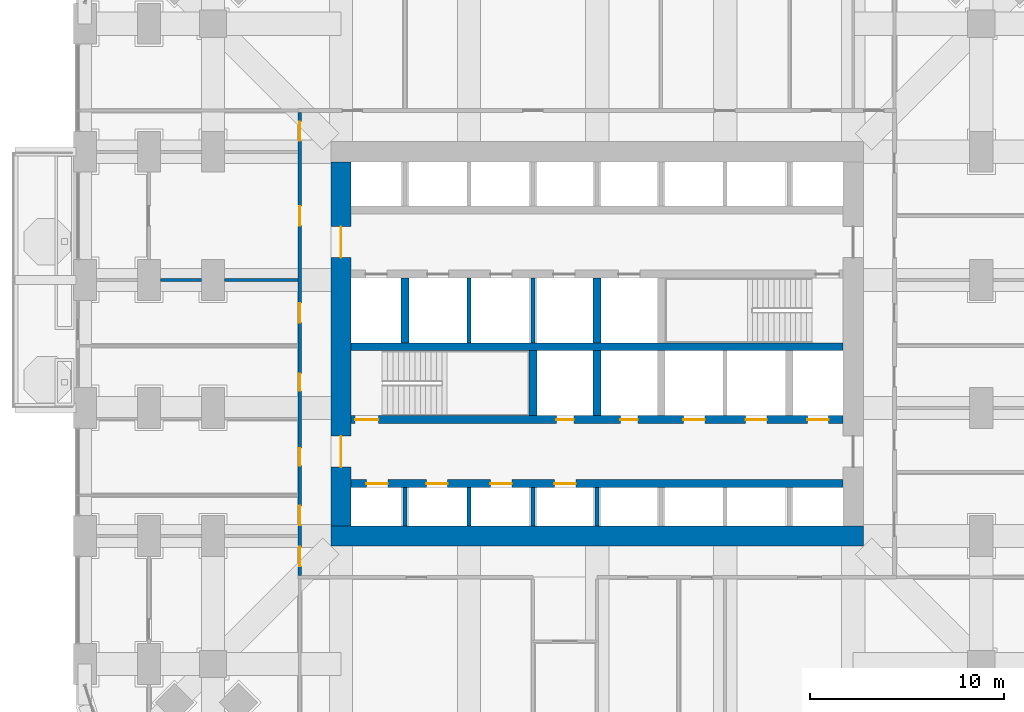
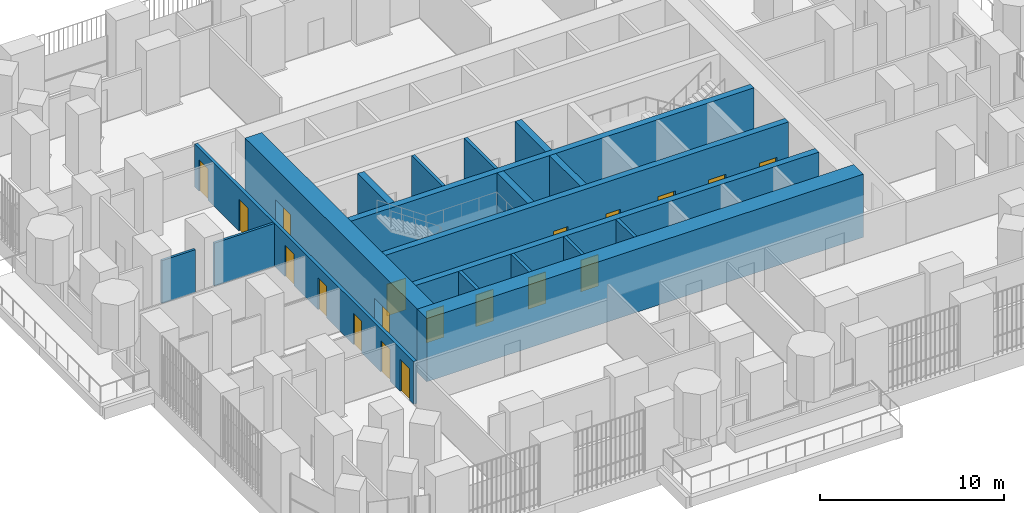
# One storey, part 18 of 26: 19 doors, 18 walls, 19 openings.
"""IFC4 building model written with IfcOpenShell, lengths in metres."""

from ifc_helpers import new_model, si_unit, direction, frame, frame_2d, origin, place, context, subcontext, project, spatial, rectangle, extrude, material, layer, layer_set, type_object, element, fill, save


model = new_model("IFC4")

# Units and contexts
model_context = context("Model", 3, precision=1e-05, world=origin(), true_north=direction((0.0, 1.0)))
body_context = subcontext(model_context, "Body", "Model", "MODEL_VIEW")
ifc_project = project(units=[si_unit("LENGTHUNIT", "METRE"), si_unit("AREAUNIT", "SQUARE_METRE"), si_unit("VOLUMEUNIT", "CUBIC_METRE"), si_unit("PLANEANGLEUNIT", "RADIAN"), si_unit("MASSUNIT", "GRAM", prefix="KILO")], contexts=[model_context])

# Site, building, storey
site_placement = place(None, origin())
site = spatial("IfcSite", under=ifc_project, at=site_placement, CompositionType="ELEMENT")
building_placement = place(site_placement, origin())
building = spatial("IfcBuilding", under=site, at=building_placement, Name="Cobogo Forest Laboratory Tower", CompositionType="ELEMENT")
storey_placement = place(building_placement, frame((0.0, 0.0, 50.699951171875)))
storey = spatial("IfcBuildingStorey", under=building, at=storey_placement, Name="L11", CompositionType="ELEMENT", Elevation=50.699951171875)

# Wall, openings, doors
ifc_material_1 = material(Name="Concrete HA-50 (C50/60)", Category="concrete")
ifc_layer_1 = layer(ifc_material_1, 0.39990234375)
ifc_layer_set_1 = layer_set([ifc_layer_1], Name="CI400 core inner wall 400")
wall_type_1 = type_object("IfcWallType", Name="CI400 core inner wall 400", PredefinedType="SHEAR", material=ifc_layer_set_1)
wall_1_placement = place(storey_placement, frame((13.72509765625, 15.89990234375, 0.0), z_axis=(0.0, 0.0, 1.0), x_axis=(1.0, 0.0, 0.0)))
wall_1 = element("IfcWall", 1, at=wall_1_placement, inside=storey, type_object=wall_type_1, Name="Core wall CI-15.9 L11", PredefinedType="SHEAR", context=body_context, shape_type="SweptSolid", body=[
    extrude(rectangle(XDim=25.349853515625, YDim=0.39990234375, at=frame_2d((12.6748046875, 0.0))), origin(), (0.0, 0.0, 1.0), 4.199951171875),
])
opening_1_placement = place(wall_1_placement, frame((0.78759765625, 0.0, 0.0)))
opening_1 = element("IfcOpeningElement", 2, at=opening_1_placement, cuts=wall_1, Name="Opening L11-LD-LA1", PredefinedType="OPENING", context=body_context, shape_type="SweptSolid", body=[
    extrude(rectangle(XDim=1.10009765625, YDim=2.10009765625, at=frame_2d((0.550048828125, 1.050048828125))), frame((0.0, 0.2099609375, 0.0), z_axis=(0.0, -1.0, 0.0), x_axis=(1.0, 0.0, 0.0)), (0.0, 0.0, 1.0), 0.419921875),
])
opening_2_placement = place(wall_1_placement, frame((3.875, 0.0, 0.0)))
opening_2 = element("IfcOpeningElement", 3, at=opening_2_placement, cuts=wall_1, Name="Opening L11-LD-LA2", PredefinedType="OPENING", context=body_context, shape_type="SweptSolid", body=[
    extrude(rectangle(XDim=1.10009765625, YDim=2.10009765625, at=frame_2d((0.550048828125, 1.050048828125))), frame((0.0, 0.2099609375, 0.0), z_axis=(0.0, -1.0, 0.0), x_axis=(1.0, 0.0, 0.0)), (0.0, 0.0, 1.0), 0.419921875),
])
opening_3_placement = place(wall_1_placement, frame((7.175048828125, 0.0, 0.0)))
opening_3 = element("IfcOpeningElement", 4, at=opening_3_placement, cuts=wall_1, Name="Opening L11-LD-LA3", PredefinedType="OPENING", context=body_context, shape_type="SweptSolid", body=[
    extrude(rectangle(XDim=1.10009765625, YDim=2.10009765625, at=frame_2d((0.550048828125, 1.050048828125))), frame((0.0, 0.2099609375, 0.0), z_axis=(0.0, -1.0, 0.0), x_axis=(1.0, 0.0, 0.0)), (0.0, 0.0, 1.0), 0.419921875),
])
opening_4_placement = place(wall_1_placement, frame((10.47509765625, 0.0, 0.0)))
opening_4 = element("IfcOpeningElement", 5, at=opening_4_placement, cuts=wall_1, Name="Opening L11-LD-LA4", PredefinedType="OPENING", context=body_context, shape_type="SweptSolid", body=[
    extrude(rectangle(XDim=1.10009765625, YDim=2.10009765625, at=frame_2d((0.550048828125, 1.050048828125))), frame((0.0, 0.2099609375, 0.0), z_axis=(0.0, -1.0, 0.0), x_axis=(1.0, 0.0, 0.0)), (0.0, 0.0, 1.0), 0.419921875),
])
ifc_material_2 = material(Name="Stainless steel lift door", Category="steel")
door_type_1 = type_object("IfcDoorType", Name="LD lift landing door 1100", OperationType="DOUBLE_DOOR_SLIDING", PredefinedType="DOOR", material=ifc_material_2)
door_1_placement = place(opening_1_placement, origin())
door_1 = element("IfcDoor", 6, at=door_1_placement, inside=storey, type_object=door_type_1, Name="Lift landing door LA1 L11", OperationType="DOUBLE_DOOR_SLIDING", OverallHeight=2.10009765625, OverallWidth=1.10009765625, PredefinedType="DOOR", context=body_context, shape_type="SweptSolid", body=[
    extrude(rectangle(XDim=1.10009765625, YDim=2.10009765625, at=frame_2d((0.550048828125, 1.050048828125))), frame((0.0, 0.02490234375, 0.0), z_axis=(0.0, -1.0, 0.0), x_axis=(1.0, 0.0, 0.0)), (0.0, 0.0, 1.0), 0.050048828125),
])
fill(opening_1, door_1)
door_2_placement = place(opening_2_placement, origin())
door_2 = element("IfcDoor", 7, at=door_2_placement, inside=storey, type_object=door_type_1, Name="Lift landing door LA2 L11", OperationType="DOUBLE_DOOR_SLIDING", OverallHeight=2.10009765625, OverallWidth=1.10009765625, PredefinedType="DOOR", context=body_context, shape_type="SweptSolid", body=[
    extrude(rectangle(XDim=1.10009765625, YDim=2.10009765625, at=frame_2d((0.550048828125, 1.050048828125))), frame((0.0, 0.02490234375, 0.0), z_axis=(0.0, -1.0, 0.0), x_axis=(1.0, 0.0, 0.0)), (0.0, 0.0, 1.0), 0.050048828125),
])
fill(opening_2, door_2)
door_3_placement = place(opening_3_placement, origin())
door_3 = element("IfcDoor", 8, at=door_3_placement, inside=storey, type_object=door_type_1, Name="Lift landing door LA3 L11", OperationType="DOUBLE_DOOR_SLIDING", OverallHeight=2.10009765625, OverallWidth=1.10009765625, PredefinedType="DOOR", context=body_context, shape_type="SweptSolid", body=[
    extrude(rectangle(XDim=1.10009765625, YDim=2.10009765625, at=frame_2d((0.550048828125, 1.050048828125))), frame((0.0, 0.02490234375, 0.0), z_axis=(0.0, -1.0, 0.0), x_axis=(1.0, 0.0, 0.0)), (0.0, 0.0, 1.0), 0.050048828125),
])
fill(opening_3, door_3)
door_4_placement = place(opening_4_placement, origin())
door_4 = element("IfcDoor", 9, at=door_4_placement, inside=storey, type_object=door_type_1, Name="Lift landing door LA4 L11", OperationType="DOUBLE_DOOR_SLIDING", OverallHeight=2.10009765625, OverallWidth=1.10009765625, PredefinedType="DOOR", context=body_context, shape_type="SweptSolid", body=[
    extrude(rectangle(XDim=1.10009765625, YDim=2.10009765625, at=frame_2d((0.550048828125, 1.050048828125))), frame((0.0, 0.02490234375, 0.0), z_axis=(0.0, -1.0, 0.0), x_axis=(1.0, 0.0, 0.0)), (0.0, 0.0, 1.0), 0.050048828125),
])
fill(opening_4, door_4)

wall_2_placement = place(storey_placement, frame((13.72509765625, 19.199951171875, 0.0), z_axis=(0.0, 0.0, 1.0), x_axis=(1.0, 0.0, 0.0)))
wall_2 = element("IfcWall", 10, at=wall_2_placement, inside=storey, type_object=wall_type_1, Name="Core wall CI-19.2 L11", PredefinedType="SHEAR", context=body_context, shape_type="SweptSolid", body=[
    extrude(rectangle(XDim=25.349853515625, YDim=0.39990234375, at=frame_2d((12.6748046875, 0.0))), origin(), (0.0, 0.0, 1.0), 4.199951171875),
])
opening_5_placement = place(wall_2_placement, frame((10.574951171875, 0.0, 0.0)))
opening_5 = element("IfcOpeningElement", 11, at=opening_5_placement, cuts=wall_2, Name="Opening L11-D21", PredefinedType="OPENING", context=body_context, shape_type="SweptSolid", body=[
    extrude(rectangle(XDim=0.89990234375, YDim=2.10009765625, at=frame_2d((0.449951171875, 1.050048828125))), frame((0.0, 0.2099609375, 0.0), z_axis=(0.0, -1.0, 0.0), x_axis=(1.0, 0.0, 0.0)), (0.0, 0.0, 1.0), 0.419921875),
])
opening_6_placement = place(wall_2_placement, frame((13.875, 0.0, 0.0)))
opening_6 = element("IfcOpeningElement", 12, at=opening_6_placement, cuts=wall_2, Name="Opening L11-D22", PredefinedType="OPENING", context=body_context, shape_type="SweptSolid", body=[
    extrude(rectangle(XDim=0.89990234375, YDim=2.10009765625, at=frame_2d((0.449951171875, 1.050048828125))), frame((0.0, 0.2099609375, 0.0), z_axis=(0.0, -1.0, 0.0), x_axis=(1.0, 0.0, 0.0)), (0.0, 0.0, 1.0), 0.419921875),
])
opening_7_placement = place(wall_2_placement, frame((0.199951171875, 0.0, 0.0)))
opening_7 = element("IfcOpeningElement", 13, at=opening_7_placement, cuts=wall_2, Name="Opening L11-D20", PredefinedType="OPENING", context=body_context, shape_type="SweptSolid", body=[
    extrude(rectangle(XDim=1.199951171875, YDim=2.10009765625, at=frame_2d((0.60009765625, 1.050048828125))), frame((0.0, 0.2099609375, 0.0), z_axis=(0.0, -1.0, 0.0), x_axis=(1.0, 0.0, 0.0)), (0.0, 0.0, 1.0), 0.419921875),
])
opening_8_placement = place(wall_2_placement, frame((23.512451171875, 0.0, 0.0)))
opening_8 = element("IfcOpeningElement", 14, at=opening_8_placement, cuts=wall_2, Name="Opening L11-LD-FL2", PredefinedType="OPENING", context=body_context, shape_type="SweptSolid", body=[
    extrude(rectangle(XDim=1.10009765625, YDim=2.10009765625, at=frame_2d((0.550048828125, 1.050048828125))), frame((0.0, 0.2099609375, 0.0), z_axis=(0.0, -1.0, 0.0), x_axis=(1.0, 0.0, 0.0)), (0.0, 0.0, 1.0), 0.419921875),
])
opening_9_placement = place(wall_2_placement, frame((17.125, 0.0, 0.0)))
opening_9 = element("IfcOpeningElement", 15, at=opening_9_placement, cuts=wall_2, Name="Opening L11-LD-LS1", PredefinedType="OPENING", context=body_context, shape_type="SweptSolid", body=[
    extrude(rectangle(XDim=1.10009765625, YDim=2.10009765625, at=frame_2d((0.550048828125, 1.050048828125))), frame((0.0, 0.2099609375, 0.0), z_axis=(0.0, -1.0, 0.0), x_axis=(1.0, 0.0, 0.0)), (0.0, 0.0, 1.0), 0.419921875),
])
opening_10_placement = place(wall_2_placement, frame((20.324951171875, 0.0, 0.0)))
opening_10 = element("IfcOpeningElement", 16, at=opening_10_placement, cuts=wall_2, Name="Opening L11-LD-LS2", PredefinedType="OPENING", context=body_context, shape_type="SweptSolid", body=[
    extrude(rectangle(XDim=1.10009765625, YDim=2.10009765625, at=frame_2d((0.550048828125, 1.050048828125))), frame((0.0, 0.2099609375, 0.0), z_axis=(0.0, -1.0, 0.0), x_axis=(1.0, 0.0, 0.0)), (0.0, 0.0, 1.0), 0.419921875),
])
ifc_material_3 = material(Name="Steel fire door", Category="steel")
door_type_2 = type_object("IfcDoorType", Name="DS1 protected stair door 1200 EI2 60", OperationType="SINGLE_SWING_LEFT", PredefinedType="DOOR", material=ifc_material_3)
door_5_placement = place(opening_7_placement, origin())
door_5 = element("IfcDoor", 17, at=door_5_placement, inside=storey, type_object=door_type_2, Name="Door L11-ST1", OperationType="SINGLE_SWING_LEFT", OverallHeight=2.10009765625, OverallWidth=1.199951171875, PredefinedType="DOOR", context=body_context, shape_type="SweptSolid", body=[
    extrude(rectangle(XDim=1.199951171875, YDim=2.10009765625, at=frame_2d((0.60009765625, 1.050048828125))), frame((0.0, 0.02490234375, 0.0), z_axis=(0.0, -1.0, 0.0), x_axis=(1.0, 0.0, 0.0)), (0.0, 0.0, 1.0), 0.050048828125),
])
fill(opening_7, door_5)
door_type_3 = type_object("IfcDoorType", Name="FD4 riser access door 900 EI2 60", OperationType="SINGLE_SWING_LEFT", PredefinedType="DOOR", material=ifc_material_3)
door_6_placement = place(opening_5_placement, origin())
door_6 = element("IfcDoor", 18, at=door_6_placement, inside=storey, type_object=door_type_3, Name="Door L11-R1", OperationType="SINGLE_SWING_LEFT", OverallHeight=2.10009765625, OverallWidth=0.89990234375, PredefinedType="DOOR", context=body_context, shape_type="SweptSolid", body=[
    extrude(rectangle(XDim=0.89990234375, YDim=2.10009765625, at=frame_2d((0.449951171875, 1.050048828125))), frame((0.0, 0.02490234375, 0.0), z_axis=(0.0, -1.0, 0.0), x_axis=(1.0, 0.0, 0.0)), (0.0, 0.0, 1.0), 0.050048828125),
])
fill(opening_5, door_6)
door_7_placement = place(opening_6_placement, origin())
door_7 = element("IfcDoor", 19, at=door_7_placement, inside=storey, type_object=door_type_3, Name="Door L11-R2", OperationType="SINGLE_SWING_RIGHT", OverallHeight=2.10009765625, OverallWidth=0.89990234375, PredefinedType="DOOR", context=body_context, shape_type="SweptSolid", body=[
    extrude(rectangle(XDim=0.89990234375, YDim=2.10009765625, at=frame_2d((0.449951171875, 1.050048828125))), frame((0.0, 0.02490234375, 0.0), z_axis=(0.0, -1.0, 0.0), x_axis=(1.0, 0.0, 0.0)), (0.0, 0.0, 1.0), 0.050048828125),
])
fill(opening_6, door_7)
door_8_placement = place(opening_8_placement, origin())
door_8 = element("IfcDoor", 20, at=door_8_placement, inside=storey, type_object=door_type_1, Name="Lift landing door FL2 L11", OperationType="DOUBLE_DOOR_SLIDING", OverallHeight=2.10009765625, OverallWidth=1.10009765625, PredefinedType="DOOR", context=body_context, shape_type="SweptSolid", body=[
    extrude(rectangle(XDim=1.10009765625, YDim=2.10009765625, at=frame_2d((0.550048828125, 1.050048828125))), frame((0.0, 0.02490234375, 0.0), z_axis=(0.0, -1.0, 0.0), x_axis=(1.0, 0.0, 0.0)), (0.0, 0.0, 1.0), 0.050048828125),
])
fill(opening_8, door_8)
door_9_placement = place(opening_9_placement, origin())
door_9 = element("IfcDoor", 21, at=door_9_placement, inside=storey, type_object=door_type_1, Name="Lift landing door LS1 L11", OperationType="DOUBLE_DOOR_SLIDING", OverallHeight=2.10009765625, OverallWidth=1.10009765625, PredefinedType="DOOR", context=body_context, shape_type="SweptSolid", body=[
    extrude(rectangle(XDim=1.10009765625, YDim=2.10009765625, at=frame_2d((0.550048828125, 1.050048828125))), frame((0.0, 0.02490234375, 0.0), z_axis=(0.0, -1.0, 0.0), x_axis=(1.0, 0.0, 0.0)), (0.0, 0.0, 1.0), 0.050048828125),
])
fill(opening_9, door_9)
door_10_placement = place(opening_10_placement, origin())
door_10 = element("IfcDoor", 22, at=door_10_placement, inside=storey, type_object=door_type_1, Name="Lift landing door LS2 L11", OperationType="DOUBLE_DOOR_SLIDING", OverallHeight=2.10009765625, OverallWidth=1.10009765625, PredefinedType="DOOR", context=body_context, shape_type="SweptSolid", body=[
    extrude(rectangle(XDim=1.10009765625, YDim=2.10009765625, at=frame_2d((0.550048828125, 1.050048828125))), frame((0.0, 0.02490234375, 0.0), z_axis=(0.0, -1.0, 0.0), x_axis=(1.0, 0.0, 0.0)), (0.0, 0.0, 1.0), 0.050048828125),
])
fill(opening_10, door_10)

# Walls
wall_3_placement = place(storey_placement, frame((13.72509765625, 22.949951171875, 0.0), z_axis=(0.0, 0.0, 1.0), x_axis=(1.0, 0.0, 0.0)))
element("IfcWall", 23, at=wall_3_placement, inside=storey, type_object=wall_type_1, Name="Core wall CI-22.95 L11", PredefinedType="SHEAR", context=body_context, shape_type="SweptSolid", body=[
    extrude(rectangle(XDim=25.349853515625, YDim=0.39990234375, at=frame_2d((12.6748046875, 0.0))), origin(), (0.0, 0.0, 1.0), 4.199951171875),
])
for number, where, z_axis, x_axis, name in (
    (24, (23.10009765625, 19.39990234375, 0.0), (0.0, 0.0, 1.0), (0.0, 1.0, 0.0), "Core wall CX-23.1 L11"),
    (25, (26.39990234375, 19.39990234375, 0.0), (0.0, 0.0, 1.0), (0.0, 1.0, 0.0), "Core wall CX-26.4S L11"),
    (26, (16.5, 23.14990234375, 0.0), (0.0, 0.0, 1.0), (0.0, 1.0, 0.0), "Core wall CX-16.5 L11"),
    (27, (26.39990234375, 23.14990234375, 0.0), (0.0, 0.0, 1.0), (0.0, 1.0, 0.0), "Core wall CX-26.4N L11"),
):
    element("IfcWall", number, at=place(storey_placement, frame(where, z_axis=z_axis, x_axis=x_axis)), inside=storey, type_object=wall_type_1, Name=name, PredefinedType="SHEAR", context=body_context, shape_type="SweptSolid", body=[
        extrude(rectangle(XDim=3.35009765625, YDim=0.39990234375, at=frame_2d((1.675048828125, 0.0))), origin(), (0.0, 0.0, 1.0), 4.199951171875),
    ])
ifc_layer_2 = layer(ifc_material_1, 1.050048828125)
ifc_layer_set_2 = layer_set([ifc_layer_2], Name="CW1050 core outer wall 1050")
wall_type_2 = type_object("IfcWallType", Name="CW1050 core outer wall 1050", PredefinedType="SHEAR", material=ifc_layer_set_2)
wall_4_placement = place(storey_placement, frame((12.675048828125, 13.199951171875, 0.0), z_axis=(0.0, 0.0, 1.0), x_axis=(1.0, 0.0, 0.0)))
element("IfcWall", 28, at=wall_4_placement, inside=storey, type_object=wall_type_2, Name="Core wall CO-S L11", PredefinedType="SHEAR", context=body_context, shape_type="SweptSolid", body=[
    extrude(rectangle(XDim=27.449951171875, YDim=1.050048828125, at=frame_2d((13.72509765625, 0.0))), origin(), (0.0, 0.0, 1.0), 4.199951171875),
])

# Wall, openings, doors
wall_5_placement = place(storey_placement, frame((13.199951171875, 32.47509765625, 0.0), z_axis=(0.0, 0.0, 1.0), x_axis=(0.0, -1.0, 0.0)))
wall_5 = element("IfcWall", 29, at=wall_5_placement, inside=storey, type_object=wall_type_2, Name="Core wall CO-W L11", PredefinedType="SHEAR", context=body_context, shape_type="SweptSolid", body=[
    extrude(rectangle(XDim=18.75, YDim=1.050048828125, at=frame_2d((9.375, 0.0))), origin(), (0.0, 0.0, 1.0), 4.199951171875),
])
opening_11_placement = place(wall_5_placement, frame((14.125, 0.0, 0.0)))
opening_11 = element("IfcOpeningElement", 30, at=opening_11_placement, cuts=wall_5, Name="Opening L11-D16", PredefinedType="OPENING", context=body_context, shape_type="SweptSolid", body=[
    extrude(rectangle(XDim=1.60009765625, YDim=2.10009765625, at=frame_2d((0.800048828125, 1.050048828125))), frame((0.0, 0.534912109375, 0.0), z_axis=(0.0, -1.0, 0.0), x_axis=(1.0, 0.0, 0.0)), (0.0, 0.0, 1.0), 1.070068359375),
])
opening_12_placement = place(wall_5_placement, frame((3.324951171875, 0.0, 0.0)))
opening_12 = element("IfcOpeningElement", 31, at=opening_12_placement, cuts=wall_5, Name="Opening L11-D32", PredefinedType="OPENING", context=body_context, shape_type="SweptSolid", body=[
    extrude(rectangle(XDim=1.60009765625, YDim=2.10009765625, at=frame_2d((0.800048828125, 1.050048828125))), frame((0.0, 0.534912109375, 0.0), z_axis=(0.0, -1.0, 0.0), x_axis=(1.0, 0.0, 0.0)), (0.0, 0.0, 1.0), 1.070068359375),
])
door_type_4 = type_object("IfcDoorType", Name="DS2 protected lobby door pair 1600 EI2 60", OperationType="DOUBLE_DOOR_DOUBLE_SWING", PredefinedType="DOOR", material=ifc_material_3)
door_11_placement = place(opening_11_placement, origin())
door_11 = element("IfcDoor", 32, at=door_11_placement, inside=storey, type_object=door_type_4, Name="Door L11-CO-W-S", OperationType="DOUBLE_DOOR_DOUBLE_SWING", OverallHeight=2.10009765625, OverallWidth=1.60009765625, PredefinedType="DOOR", context=body_context, shape_type="SweptSolid", body=[
    extrude(rectangle(XDim=1.60009765625, YDim=2.10009765625, at=frame_2d((0.800048828125, 1.050048828125))), frame((0.0, 0.02490234375, 0.0), z_axis=(0.0, -1.0, 0.0), x_axis=(1.0, 0.0, 0.0)), (0.0, 0.0, 1.0), 0.050048828125),
])
fill(opening_11, door_11)
door_12_placement = place(opening_12_placement, origin())
door_12 = element("IfcDoor", 33, at=door_12_placement, inside=storey, type_object=door_type_4, Name="Door L11-CO-W-N", OperationType="DOUBLE_DOOR_DOUBLE_SWING", OverallHeight=2.10009765625, OverallWidth=1.60009765625, PredefinedType="DOOR", context=body_context, shape_type="SweptSolid", body=[
    extrude(rectangle(XDim=1.60009765625, YDim=2.10009765625, at=frame_2d((0.800048828125, 1.050048828125))), frame((0.0, 0.02490234375, 0.0), z_axis=(0.0, -1.0, 0.0), x_axis=(1.0, 0.0, 0.0)), (0.0, 0.0, 1.0), 0.050048828125),
])
fill(opening_12, door_12)

# Walls
ifc_material_4 = material(Name="Gypsum board on steel studs", Category="steel")
ifc_layer_3 = layer(ifc_material_4, 0.14990234375)
ifc_layer_set_3 = layer_set([ifc_layer_3], Name="PT1 laboratory partition 150")
wall_type_3 = type_object("IfcWallType", Name="PT1 laboratory partition 150", PredefinedType="PARTITIONING", material=ifc_layer_set_3)
wall_6_placement = place(storey_placement, frame((3.89990234375, 26.39990234375, 0.0), z_axis=(0.0, 0.0, 1.0), x_axis=(1.0, 0.0, 0.0)))
element("IfcWall", 34, at=wall_6_placement, inside=storey, type_object=wall_type_3, Name="Partition CUT-W26.4-2 L11", PredefinedType="PARTITIONING", context=body_context, shape_type="SweptSolid", body=[
    extrude(rectangle(XDim=2.10009765625, YDim=0.14990234375, at=frame_2d((1.050048828125, 0.0))), origin(), (0.0, 0.0, 1.0), 2.85009765625),
])
wall_7_placement = place(storey_placement, frame((7.199951171875, 26.39990234375, 0.0), z_axis=(0.0, 0.0, 1.0), x_axis=(1.0, 0.0, 0.0)))
element("IfcWall", 35, at=wall_7_placement, inside=storey, type_object=wall_type_3, Name="Partition CUT-W26.4-3 L11", PredefinedType="PARTITIONING", context=body_context, shape_type="SweptSolid", body=[
    extrude(rectangle(XDim=3.775146484375, YDim=0.14990234375, at=frame_2d((1.8876953125, 0.0))), origin(), (0.0, 0.0, 1.0), 2.85009765625),
])

# Wall, openings, doors
ifc_layer_4 = layer(ifc_material_4, 0.199951171875)
ifc_layer_set_4 = layer_set([ifc_layer_4], Name="PT2 fire-rated corridor partition 200")
wall_type_4 = type_object("IfcWallType", Name="PT2 fire-rated corridor partition 200", PredefinedType="PARTITIONING", material=ifc_layer_set_4)
wall_8_placement = place(storey_placement, frame((11.074951171875, 11.175048828125, 0.0), z_axis=(0.0, 0.0, 1.0), x_axis=(0.0, 1.0, 0.0)))
wall_8 = element("IfcWall", 36, at=wall_8_placement, inside=storey, type_object=wall_type_4, Name="Partition CORR-W L11", PredefinedType="PARTITIONING", context=body_context, shape_type="SweptSolid", body=[
    extrude(rectangle(XDim=23.849853515625, YDim=0.199951171875, at=frame_2d((11.9248046875, 0.0))), origin(), (0.0, 0.0, 1.0), 2.85009765625),
])
opening_13_placement = place(wall_8_placement, frame((0.46240234375, 0.0, 0.0)))
opening_13 = element("IfcOpeningElement", 37, at=opening_13_placement, cuts=wall_8, Name="Opening L11-D11", PredefinedType="OPENING", context=body_context, shape_type="SweptSolid", body=[
    extrude(rectangle(XDim=1.0, YDim=2.10009765625, at=frame_2d((0.5, 1.050048828125))), frame((0.0, 0.10986328125, 0.0), z_axis=(0.0, -1.0, 0.0), x_axis=(1.0, 0.0, 0.0)), (0.0, 0.0, 1.0), 0.219970703125),
])
opening_14_placement = place(wall_8_placement, frame((2.574951171875, 0.0, 0.0)))
opening_14 = element("IfcOpeningElement", 38, at=opening_14_placement, cuts=wall_8, Name="Opening L11-D13", PredefinedType="OPENING", context=body_context, shape_type="SweptSolid", body=[
    extrude(rectangle(XDim=1.0, YDim=2.10009765625, at=frame_2d((0.5, 1.050048828125))), frame((0.0, 0.10986328125, 0.0), z_axis=(0.0, -1.0, 0.0), x_axis=(1.0, 0.0, 0.0)), (0.0, 0.0, 1.0), 0.219970703125),
])
opening_15_placement = place(wall_8_placement, frame((5.64990234375, 0.0, 0.0)))
opening_15 = element("IfcOpeningElement", 39, at=opening_15_placement, cuts=wall_8, Name="Opening L11-D15", PredefinedType="OPENING", context=body_context, shape_type="SweptSolid", body=[
    extrude(rectangle(XDim=0.89990234375, YDim=2.10009765625, at=frame_2d((0.449951171875, 1.050048828125))), frame((0.0, 0.10986328125, 0.0), z_axis=(0.0, -1.0, 0.0), x_axis=(1.0, 0.0, 0.0)), (0.0, 0.0, 1.0), 0.219970703125),
])
opening_16_placement = place(wall_8_placement, frame((9.5, 0.0, 0.0)))
opening_16 = element("IfcOpeningElement", 40, at=opening_16_placement, cuts=wall_8, Name="Opening L11-D23", PredefinedType="OPENING", context=body_context, shape_type="SweptSolid", body=[
    extrude(rectangle(XDim=0.89990234375, YDim=2.10009765625, at=frame_2d((0.449951171875, 1.050048828125))), frame((0.0, 0.10986328125, 0.0), z_axis=(0.0, -1.0, 0.0), x_axis=(1.0, 0.0, 0.0)), (0.0, 0.0, 1.0), 0.219970703125),
])
opening_17_placement = place(wall_8_placement, frame((13.02490234375, 0.0, 0.0)))
opening_17 = element("IfcOpeningElement", 41, at=opening_17_placement, cuts=wall_8, Name="Opening L11-D27", PredefinedType="OPENING", context=body_context, shape_type="SweptSolid", body=[
    extrude(rectangle(XDim=1.0, YDim=2.10009765625, at=frame_2d((0.5, 1.050048828125))), frame((0.0, 0.10986328125, 0.0), z_axis=(0.0, -1.0, 0.0), x_axis=(1.0, 0.0, 0.0)), (0.0, 0.0, 1.0), 0.219970703125),
])
opening_18_placement = place(wall_8_placement, frame((18.02490234375, 0.0, 0.0)))
opening_18 = element("IfcOpeningElement", 42, at=opening_18_placement, cuts=wall_8, Name="Opening L11-D35", PredefinedType="OPENING", context=body_context, shape_type="SweptSolid", body=[
    extrude(rectangle(XDim=1.0, YDim=2.10009765625, at=frame_2d((0.5, 1.050048828125))), frame((0.0, 0.10986328125, 0.0), z_axis=(0.0, -1.0, 0.0), x_axis=(1.0, 0.0, 0.0)), (0.0, 0.0, 1.0), 0.219970703125),
])
opening_19_placement = place(wall_8_placement, frame((22.387451171875, 0.0, 0.0)))
opening_19 = element("IfcOpeningElement", 43, at=opening_19_placement, cuts=wall_8, Name="Opening L11-D37", PredefinedType="OPENING", context=body_context, shape_type="SweptSolid", body=[
    extrude(rectangle(XDim=1.0, YDim=2.10009765625, at=frame_2d((0.5, 1.050048828125))), frame((0.0, 0.10986328125, 0.0), z_axis=(0.0, -1.0, 0.0), x_axis=(1.0, 0.0, 0.0)), (0.0, 0.0, 1.0), 0.219970703125),
])
door_type_5 = type_object("IfcDoorType", Name="FD1 fire door 1000 EI2 60", OperationType="SINGLE_SWING_LEFT", PredefinedType="DOOR", material=ifc_material_3)
door_13_placement = place(opening_18_placement, origin())
door_13 = element("IfcDoor", 44, at=door_13_placement, inside=storey, type_object=door_type_5, Name="Door L11-W3", OperationType="SINGLE_SWING_RIGHT", OverallHeight=2.10009765625, OverallWidth=1.0, PredefinedType="DOOR", context=body_context, shape_type="SweptSolid", body=[
    extrude(rectangle(XDim=1.0, YDim=2.10009765625, at=frame_2d((0.5, 1.050048828125))), frame((0.0, 0.02490234375, 0.0), z_axis=(0.0, -1.0, 0.0), x_axis=(1.0, 0.0, 0.0)), (0.0, 0.0, 1.0), 0.050048828125),
])
fill(opening_18, door_13)
ifc_material_5 = material(Name="Timber fire door", Category="wood")
door_type_6 = type_object("IfcDoorType", Name="FD2 fire door 1000 EI2 30", OperationType="SINGLE_SWING_LEFT", PredefinedType="DOOR", material=ifc_material_5)
door_14_placement = place(opening_13_placement, origin())
door_14 = element("IfcDoor", 45, at=door_14_placement, inside=storey, type_object=door_type_6, Name="Door L11-W1", OperationType="SINGLE_SWING_LEFT", OverallHeight=2.10009765625, OverallWidth=1.0, PredefinedType="DOOR", context=body_context, shape_type="SweptSolid", body=[
    extrude(rectangle(XDim=1.0, YDim=2.10009765625, at=frame_2d((0.5, 1.050048828125))), frame((0.0, 0.02490234375, 0.0), z_axis=(0.0, -1.0, 0.0), x_axis=(1.0, 0.0, 0.0)), (0.0, 0.0, 1.0), 0.050048828125),
])
fill(opening_13, door_14)
door_15_placement = place(opening_17_placement, origin())
door_15 = element("IfcDoor", 46, at=door_15_placement, inside=storey, type_object=door_type_6, Name="Door L11-SHW", OperationType="SINGLE_SWING_RIGHT", OverallHeight=2.10009765625, OverallWidth=1.0, PredefinedType="DOOR", context=body_context, shape_type="SweptSolid", body=[
    extrude(rectangle(XDim=1.0, YDim=2.10009765625, at=frame_2d((0.5, 1.050048828125))), frame((0.0, 0.02490234375, 0.0), z_axis=(0.0, -1.0, 0.0), x_axis=(1.0, 0.0, 0.0)), (0.0, 0.0, 1.0), 0.050048828125),
])
fill(opening_17, door_15)
door_16_placement = place(opening_19_placement, origin())
door_16 = element("IfcDoor", 47, at=door_16_placement, inside=storey, type_object=door_type_6, Name="Door L11-W4", OperationType="SINGLE_SWING_RIGHT", OverallHeight=2.10009765625, OverallWidth=1.0, PredefinedType="DOOR", context=body_context, shape_type="SweptSolid", body=[
    extrude(rectangle(XDim=1.0, YDim=2.10009765625, at=frame_2d((0.5, 1.050048828125))), frame((0.0, 0.02490234375, 0.0), z_axis=(0.0, -1.0, 0.0), x_axis=(1.0, 0.0, 0.0)), (0.0, 0.0, 1.0), 0.050048828125),
])
fill(opening_19, door_16)
door_type_7 = type_object("IfcDoorType", Name="FD3 toilet fire door 900 EI2 30", OperationType="SINGLE_SWING_LEFT", PredefinedType="DOOR", material=ifc_material_5)
door_17_placement = place(opening_15_placement, origin())
door_17 = element("IfcDoor", 48, at=door_17_placement, inside=storey, type_object=door_type_7, Name="Door L11-WCF", OperationType="SINGLE_SWING_LEFT", OverallHeight=2.10009765625, OverallWidth=0.89990234375, PredefinedType="DOOR", context=body_context, shape_type="SweptSolid", body=[
    extrude(rectangle(XDim=0.89990234375, YDim=2.10009765625, at=frame_2d((0.449951171875, 1.050048828125))), frame((0.0, 0.02490234375, 0.0), z_axis=(0.0, -1.0, 0.0), x_axis=(1.0, 0.0, 0.0)), (0.0, 0.0, 1.0), 0.050048828125),
])
fill(opening_15, door_17)
door_18_placement = place(opening_16_placement, origin())
door_18 = element("IfcDoor", 49, at=door_18_placement, inside=storey, type_object=door_type_7, Name="Door L11-WCM", OperationType="SINGLE_SWING_LEFT", OverallHeight=2.10009765625, OverallWidth=0.89990234375, PredefinedType="DOOR", context=body_context, shape_type="SweptSolid", body=[
    extrude(rectangle(XDim=0.89990234375, YDim=2.10009765625, at=frame_2d((0.449951171875, 1.050048828125))), frame((0.0, 0.02490234375, 0.0), z_axis=(0.0, -1.0, 0.0), x_axis=(1.0, 0.0, 0.0)), (0.0, 0.0, 1.0), 0.050048828125),
])
fill(opening_16, door_18)
door_type_8 = type_object("IfcDoorType", Name="FDA1 accessible toilet fire door 1000 EI2 30", OperationType="SINGLE_SWING_RIGHT", PredefinedType="DOOR", material=ifc_material_5)
door_19_placement = place(opening_14_placement, origin())
door_19 = element("IfcDoor", 50, at=door_19_placement, inside=storey, type_object=door_type_8, Name="Door L11-WCA", OperationType="SINGLE_SWING_LEFT", OverallHeight=2.10009765625, OverallWidth=1.0, PredefinedType="DOOR", context=body_context, shape_type="SweptSolid", body=[
    extrude(rectangle(XDim=1.0, YDim=2.10009765625, at=frame_2d((0.5, 1.050048828125))), frame((0.0, 0.02490234375, 0.0), z_axis=(0.0, -1.0, 0.0), x_axis=(1.0, 0.0, 0.0)), (0.0, 0.0, 1.0), 0.050048828125),
])
fill(opening_14, door_19)

# Walls
ifc_material_6 = material(Name="Concrete block", Category="concrete")
ifc_layer_5 = layer(ifc_material_6, 0.199951171875)
ifc_layer_set_5 = layer_set([ifc_layer_5], Name="SW200 lift shaft separator 200")
wall_type_5 = type_object("IfcWallType", Name="SW200 lift shaft separator 200", PredefinedType="PARTITIONING", material=ifc_layer_set_5)
for number, where, z_axis, x_axis, name in (
    (51, (16.5, 13.72509765625, 0.0), (0.0, 0.0, 1.0), (0.0, 1.0, 0.0), "Core wall SEP-S1 L11"),
    (52, (19.800048828125, 13.72509765625, 0.0), (0.0, 0.0, 1.0), (0.0, 1.0, 0.0), "Core wall SEP-S2 L11"),
    (53, (23.10009765625, 13.72509765625, 0.0), (0.0, 0.0, 1.0), (0.0, 1.0, 0.0), "Core wall SEP-S3 L11"),
    (54, (26.39990234375, 13.72509765625, 0.0), (0.0, 0.0, 1.0), (0.0, 1.0, 0.0), "Core wall SEP-S4 L11"),
):
    element("IfcWall", number, at=place(storey_placement, frame(where, z_axis=z_axis, x_axis=x_axis)), inside=storey, type_object=wall_type_5, Name=name, PredefinedType="PARTITIONING", context=body_context, shape_type="SweptSolid", body=[
        extrude(rectangle(XDim=1.974853515625, YDim=0.199951171875, at=frame_2d((0.9873046875, 0.0))), origin(), (0.0, 0.0, 1.0), 4.199951171875),
    ])
for number, where, z_axis, x_axis, name in (
    (55, (19.800048828125, 23.14990234375, 0.0), (0.0, 0.0, 1.0), (0.0, 1.0, 0.0), "Core wall SEP-M19.8 L11"),
    (56, (23.10009765625, 23.14990234375, 0.0), (0.0, 0.0, 1.0), (0.0, 1.0, 0.0), "Core wall SEP-M23.1 L11"),
):
    element("IfcWall", number, at=place(storey_placement, frame(where, z_axis=z_axis, x_axis=x_axis)), inside=storey, type_object=wall_type_5, Name=name, PredefinedType="PARTITIONING", context=body_context, shape_type="SweptSolid", body=[
        extrude(rectangle(XDim=3.35009765625, YDim=0.199951171875, at=frame_2d((1.675048828125, 0.0))), origin(), (0.0, 0.0, 1.0), 4.199951171875),
    ])

save(model, "model.ifc")
